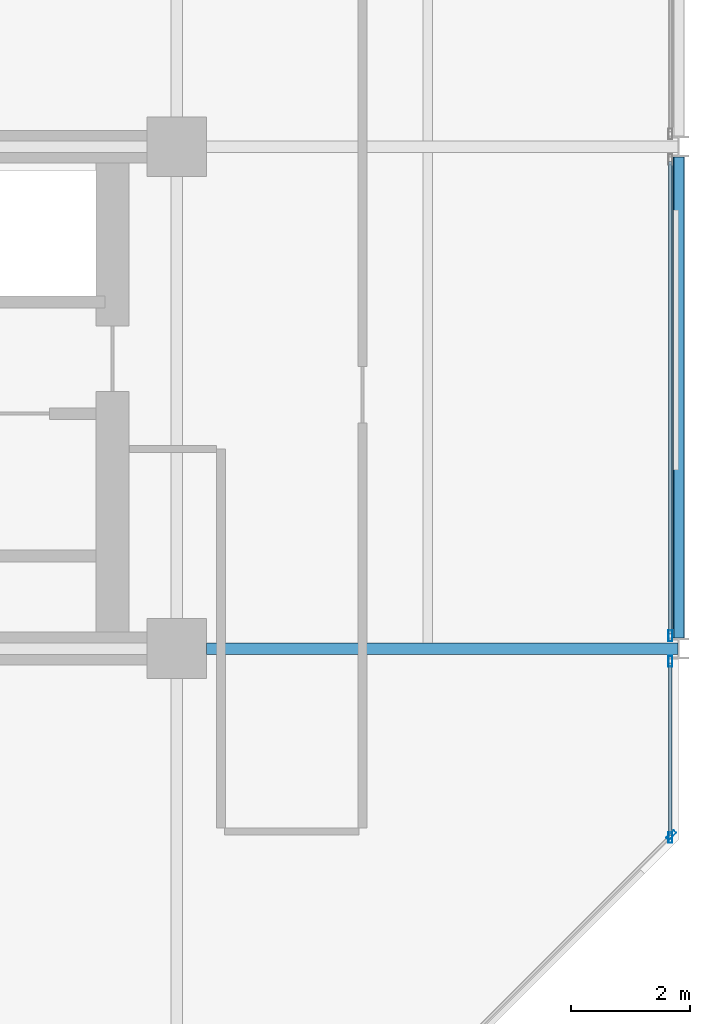
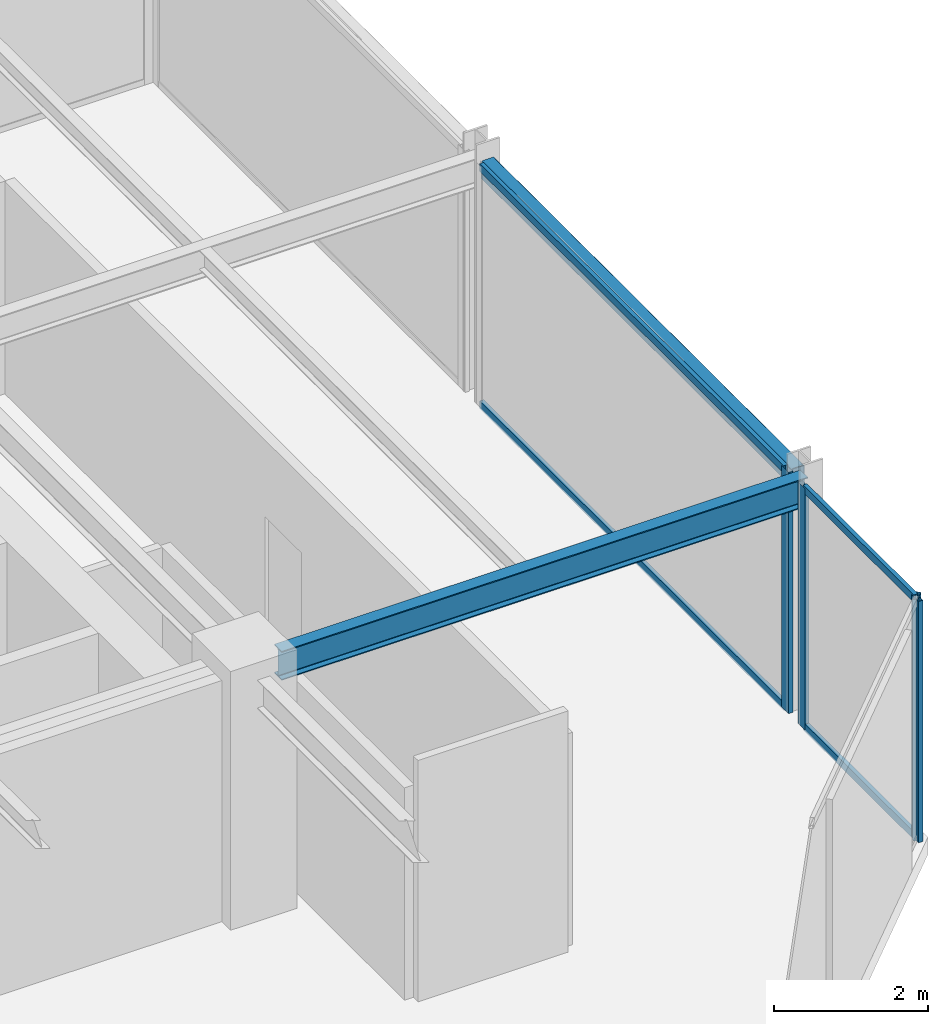
# One storey, part 13 of 29: 8 members, 2 beams, 3 elements without a shape of their own.
"""IFC4 building model written with IfcOpenShell, lengths in metres."""

from ifc_helpers import new_model, si_unit, direction, frame, origin, origin_2d, place, context, subcontext, project, spatial, hollow_rectangle, i_section, extrude, material, layer, layer_set, material_profile, profile_set, type_object, element, aggregate, save


model = new_model("IFC4")

# Units and contexts
model_context = context("Model", 3, precision=1e-05, world=origin(), true_north=direction((0.0, 1.0)))
body_context = subcontext(model_context, "Body", "Model", "MODEL_VIEW")
ifc_project = project(units=[si_unit("LENGTHUNIT", "METRE"), si_unit("AREAUNIT", "SQUARE_METRE"), si_unit("VOLUMEUNIT", "CUBIC_METRE"), si_unit("PLANEANGLEUNIT", "RADIAN"), si_unit("MASSUNIT", "GRAM", prefix="KILO")], contexts=[model_context])

# Site, building, storey
site_placement = place(None, origin())
site = spatial("IfcSite", under=ifc_project, at=site_placement, CompositionType="ELEMENT")
building_placement = place(site_placement, origin())
building = spatial("IfcBuilding", under=site, at=building_placement, Name="Nerrivon Quay Data Exchange", CompositionType="ELEMENT")
storey_placement = place(building_placement, frame((0.0, 0.0, 183.699951171875)))
storey = spatial("IfcBuildingStorey", under=building, at=storey_placement, Name="L43", CompositionType="ELEMENT", Elevation=183.699951171875)

# Beams
ifc_material_1 = material(Name="Steel Grade 350", Category="steel")
ifc_material_profile_1 = material_profile(ifc_material_1, i_section(OverallWidth=0.19091796875, OverallDepth=0.4599609375, WebThickness=0.010009765625, FlangeThickness=0.01611328125, FilletRadius=0.011474609375, at=origin_2d()), Name="460UB82.1")
ifc_profile_set_1 = profile_set([ifc_material_profile_1], Name="Steel Grade 350")
beam_type_1 = type_object("IfcBeamType", Name="BM-G5-460UB82", PredefinedType="BEAM", material=ifc_profile_set_1)
beam_1_placement = place(storey_placement, frame((34.10009765625, 8.39990234375, 3.594970703125), z_axis=(1.0, 0.0, 0.0), x_axis=(0.0, 1.0, 0.0)))
element("IfcBeam", 1, at=beam_1_placement, inside=storey, type_object=beam_type_1, Name="L43 EW Girder Y=8.4 (33.6..42.0)", PredefinedType="BEAM", context=body_context, shape_type="SweptSolid", body=[
    extrude(i_section(OverallWidth=0.19091796875, OverallDepth=0.4599609375, WebThickness=0.010009765625, FlangeThickness=0.01611328125, FilletRadius=0.011474609375, at=origin_2d()), origin(), (0.0, 0.0, 1.0), 7.889892578125),
])
ifc_material_2 = material(Name="Steel Grade C350L0 (350 MPa)", Category="steel")
ifc_material_profile_2 = material_profile(ifc_material_2, hollow_rectangle(XDim=0.199951171875, YDim=0.300048828125, WallThickness=0.012451171875, InnerFilletRadius=0.018798828125, OuterFilletRadius=0.03125, at=origin_2d()), Name="300x200x12.5RHS")
ifc_profile_set_2 = profile_set([ifc_material_profile_2], Name="Steel Grade C350L0 (350 MPa)")
beam_type_2 = type_object("IfcBeamType", Name="BM-SP3-300x200RHS", PredefinedType="SPANDREL", material=ifc_profile_set_2)
beam_2_placement = place(storey_placement, frame((42.0, 8.574951171875, 3.675048828125), z_axis=(0.0, 1.0, 0.0), x_axis=(-1.0, 0.0, 0.0)))
element("IfcBeam", 2, at=beam_2_placement, inside=storey, type_object=beam_type_2, Name="L43 NS Girder X=42.0 (8.4..16.8)", PredefinedType="SPANDREL", context=body_context, shape_type="SweptSolid", body=[
    extrude(hollow_rectangle(XDim=0.199951171875, YDim=0.300048828125, WallThickness=0.012451171875, InnerFilletRadius=0.018798828125, OuterFilletRadius=0.03125, at=origin_2d()), origin(), (0.0, 0.0, 1.0), 8.050048828125),
])

# Curtain wall, member
ifc_material_3 = material(Name="Anodised aluminium 6063-T6", Category="aluminium")
ifc_layer = layer(ifc_material_3, 0.195068359375)
ifc_layer_set = layer_set([ifc_layer], Name="Anodised aluminium 6063-T6")
curtain_wall_type = type_object("IfcCurtainWallType", Name="CW-SYS-06", PredefinedType="NOTDEFINED", material=ifc_layer_set)
curtain_wall_1_placement = place(storey_placement, origin())
curtain_wall_1 = element("IfcCurtainWall", 3, at=curtain_wall_1_placement, inside=storey, type_object=curtain_wall_type, Name="L43 Unitised Curtain Wall 19", PredefinedType="NOTDEFINED")
ifc_material_profile_3 = material_profile(ifc_material_3, hollow_rectangle(XDim=0.06494140625, YDim=0.179931640625, WallThickness=0.00341796875, at=origin_2d()), Name="ALU-MULL-180x65")
ifc_profile_set_3 = profile_set([ifc_material_profile_3], Name="Anodised aluminium 6063-T6")
member_type_1 = type_object("IfcMemberType", Name="CWM-180x65", PredefinedType="MULLION", material=ifc_profile_set_3)
member_1_placement = place(storey_placement, frame((41.860107421875, 8.612548828125, 0.0), z_axis=(0.0, 0.0, 1.0), x_axis=(1.0, 0.0, 0.0)))
member_1 = element("IfcMember", 4, at=member_1_placement, type_object=member_type_1, Name="CW06 mullion 2", PredefinedType="MULLION", context=body_context, shape_type="SweptSolid", body=[
    extrude(hollow_rectangle(XDim=0.06494140625, YDim=0.179931640625, WallThickness=0.00341796875, at=origin_2d()), origin(), (0.0, 0.0, 1.0), 3.824951171875),
])

# Curtain wall, members
curtain_wall_2_placement = place(storey_placement, origin())
curtain_wall_2 = element("IfcCurtainWall", 5, at=curtain_wall_2_placement, inside=storey, type_object=curtain_wall_type, Name="L43 Unitised Curtain Wall 20", PredefinedType="NOTDEFINED")
member_2_placement = place(storey_placement, frame((41.860107421875, 8.1875, 0.0), z_axis=(0.0, 0.0, 1.0), x_axis=(1.0, 0.0, 0.0)))
member_2 = element("IfcMember", 6, at=member_2_placement, type_object=member_type_1, Name="CW06 mullion 1", PredefinedType="MULLION", context=body_context, shape_type="SweptSolid", body=[
    extrude(hollow_rectangle(XDim=0.06494140625, YDim=0.179931640625, WallThickness=0.00341796875, at=origin_2d()), origin(), (0.0, 0.0, 1.0), 3.824951171875),
])
member_3_placement = place(storey_placement, frame((41.860107421875, 5.237548828125, 0.0), z_axis=(0.0, 0.0, 1.0), x_axis=(1.0, 0.0, 0.0)))
member_3 = element("IfcMember", 7, at=member_3_placement, type_object=member_type_1, Name="CW06 mullion 2", PredefinedType="MULLION", context=body_context, shape_type="SweptSolid", body=[
    extrude(hollow_rectangle(XDim=0.06494140625, YDim=0.179931640625, WallThickness=0.00341796875, at=origin_2d()), origin(), (0.0, 0.0, 1.0), 3.824951171875),
])

# Curtain wall, member
curtain_wall_3_placement = place(storey_placement, origin())
curtain_wall_3 = element("IfcCurtainWall", 8, at=curtain_wall_3_placement, inside=storey, type_object=curtain_wall_type, Name="L43 Unitised Curtain Wall 21", PredefinedType="NOTDEFINED")
member_4_placement = place(storey_placement, frame((41.87451171875, 5.2724609375, 0.0), z_axis=(0.0, 0.0, 1.0), x_axis=(0.707106781187, -0.707106781187, 0.0)))
member_4 = element("IfcMember", 9, at=member_4_placement, type_object=member_type_1, Name="CW06 mullion 1", PredefinedType="MULLION", context=body_context, shape_type="SweptSolid", body=[
    extrude(hollow_rectangle(XDim=0.06494140625, YDim=0.179931640625, WallThickness=0.00341796875, at=origin_2d()), origin(), (0.0, 0.0, 1.0), 3.824951171875),
])
aggregate(curtain_wall_3, [member_4])

# Member
ifc_material_profile_4 = material_profile(ifc_material_3, hollow_rectangle(XDim=0.06005859375, YDim=0.1201171875, WallThickness=0.003173828125, at=origin_2d()), Name="ALU-TRAN-120x60")
ifc_profile_set_4 = profile_set([ifc_material_profile_4], Name="Anodised aluminium 6063-T6")
member_type_2 = type_object("IfcMemberType", Name="CWT-120x60", PredefinedType="USERDEFINED", material=ifc_profile_set_4)
member_5_placement = place(storey_placement, frame((41.860107421875, 16.550048828125, 0.032470703125), z_axis=(0.0, -1.0, 0.0), x_axis=(1.0, 0.0, 0.0)))
member_5 = element("IfcMember", 10, at=member_5_placement, type_object=member_type_2, Name="CW06 transom 1.1", ObjectType="TRANSOM", PredefinedType="USERDEFINED", context=body_context, shape_type="SweptSolid", body=[
    extrude(hollow_rectangle(XDim=0.06005859375, YDim=0.1201171875, WallThickness=0.003173828125, at=origin_2d()), origin(), (0.0, 0.0, 1.0), 7.900146484375),
])

member_6_placement = place(storey_placement, frame((41.860107421875, 16.550048828125, 3.79248046875), z_axis=(0.0, -1.0, 0.0), x_axis=(1.0, 0.0, 0.0)))
member_6 = element("IfcMember", 11, at=member_6_placement, type_object=member_type_2, Name="CW06 transom 1.2", ObjectType="TRANSOM", PredefinedType="USERDEFINED", context=body_context, shape_type="SweptSolid", body=[
    extrude(hollow_rectangle(XDim=0.06005859375, YDim=0.1201171875, WallThickness=0.003173828125, at=origin_2d()), origin(), (0.0, 0.0, 1.0), 7.900146484375),
])

aggregate(curtain_wall_1, [member_1, member_5, member_6])

member_7_placement = place(storey_placement, frame((41.860107421875, 8.14990234375, 0.032470703125), z_axis=(0.0, -1.0, 0.0), x_axis=(1.0, 0.0, 0.0)))
member_7 = element("IfcMember", 12, at=member_7_placement, type_object=member_type_2, Name="CW06 transom 1.1", ObjectType="TRANSOM", PredefinedType="USERDEFINED", context=body_context, shape_type="SweptSolid", body=[
    extrude(hollow_rectangle(XDim=0.06005859375, YDim=0.1201171875, WallThickness=0.003173828125, at=origin_2d()), origin(), (0.0, 0.0, 1.0), 2.875),
])

member_8_placement = place(storey_placement, frame((41.860107421875, 8.14990234375, 3.79248046875), z_axis=(0.0, -1.0, 0.0), x_axis=(1.0, 0.0, 0.0)))
member_8 = element("IfcMember", 13, at=member_8_placement, type_object=member_type_2, Name="CW06 transom 1.2", ObjectType="TRANSOM", PredefinedType="USERDEFINED", context=body_context, shape_type="SweptSolid", body=[
    extrude(hollow_rectangle(XDim=0.06005859375, YDim=0.1201171875, WallThickness=0.003173828125, at=origin_2d()), origin(), (0.0, 0.0, 1.0), 2.875),
])

aggregate(curtain_wall_2, [member_2, member_3, member_7, member_8])

save(model, "model.ifc")
